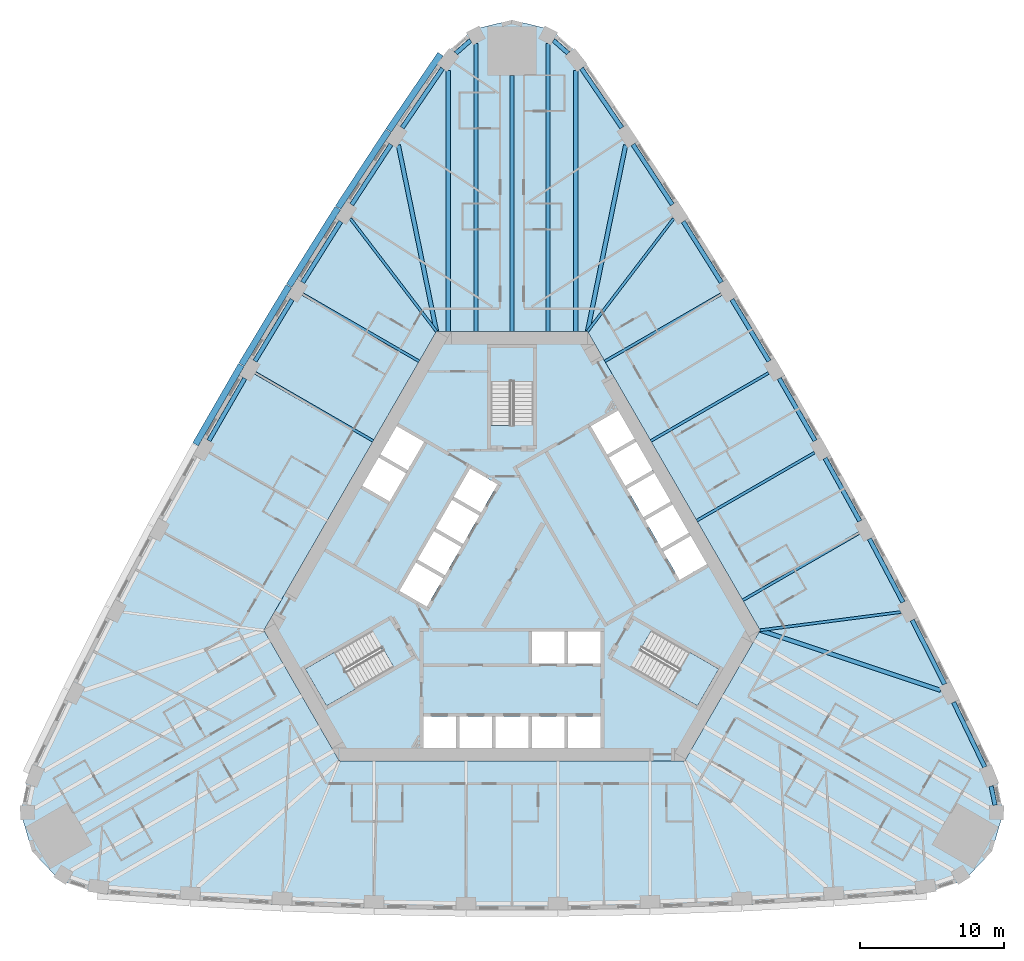
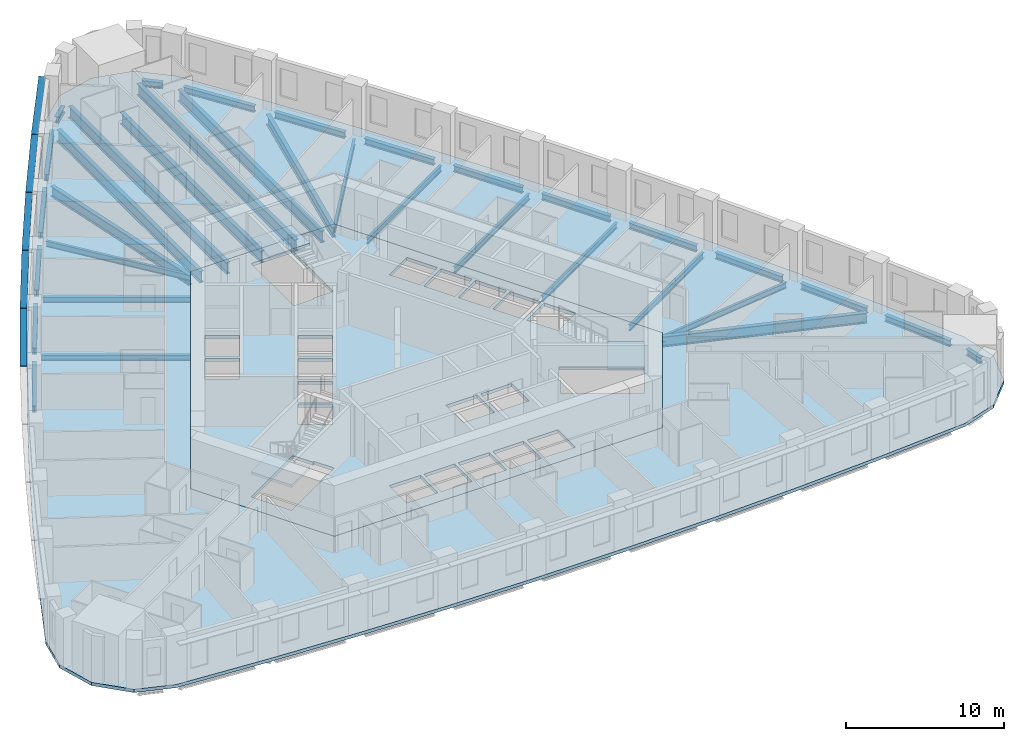
# One storey, part 2 of 13: 34 beams, 5 members, 5 slabs, 3 elements without a shape of their own.
"""IFC4 building model written with IfcOpenShell, lengths in metres."""

from ifc_helpers import new_model, si_unit, direction, frame, origin, origin_2d, place, context, subcontext, project, spatial, polyline, rectangle, i_section, outline, extrude, material, layer, layer_set, material_profile, profile_set, type_object, element, aggregate, save


model = new_model("IFC4")

# Units and contexts
model_context = context("Model", 3, precision=1e-05, world=origin(), true_north=direction((0.0, 1.0)))
body_context = subcontext(model_context, "Body", "Model", "MODEL_VIEW")
ifc_project = project(units=[si_unit("LENGTHUNIT", "METRE"), si_unit("AREAUNIT", "SQUARE_METRE"), si_unit("VOLUMEUNIT", "CUBIC_METRE"), si_unit("PLANEANGLEUNIT", "RADIAN"), si_unit("MASSUNIT", "GRAM", prefix="KILO")], contexts=[model_context])

# Site, building, storey
site_placement = place(None, origin())
site = spatial("IfcSite", under=ifc_project, at=site_placement, CompositionType="ELEMENT")
building_placement = place(site_placement, origin())
building = spatial("IfcBuilding", under=site, at=building_placement, Name="Mestral Congress Tower", CompositionType="ELEMENT")
storey_placement = place(building_placement, frame((0.0, 0.0, 31.5)))
storey = spatial("IfcBuildingStorey", under=building, at=storey_placement, Name="L06", CompositionType="ELEMENT", Elevation=31.5)

# Members
ifc_material_1 = material(Name="Glazed ceramic", Category="masonry")
ifc_material_profile_1 = material_profile(ifc_material_1, rectangle(XDim=0.449951171875, YDim=0.06005859375, at=origin_2d()), Name="Ceramic blade 450 x 60")
ifc_profile_set_1 = profile_set([ifc_material_profile_1], Name="Glazed ceramic")
member_type = type_object("IfcMemberType", Name="Facade sunshade blade 450 x 60", PredefinedType="USERDEFINED", material=ifc_profile_set_1)
member_1_placement = place(storey_placement, frame((-4.973388671875, 36.188232421875, 3.280029296875), z_axis=(-0.562633427576, -0.826706493367, 0.0), x_axis=(0.826706493367, -0.562633427576, 0.0)))
element("IfcMember", 1, at=member_1_placement, inside=storey, type_object=member_type, Name="Sunshade F2-00", ObjectType="SUNSHADE", PredefinedType="USERDEFINED", context=body_context, shape_type="SweptSolid", body=[
    extrude(rectangle(XDim=0.449951171875, YDim=0.06005859375, at=origin_2d()), origin(), (0.0, 0.0, 1.0), 6.4208984375),
])
member_2_placement = place(storey_placement, frame((-8.6103515625, 30.843505859375, 3.280029296875), z_axis=(-0.547211145376, -0.836994601163, 0.0), x_axis=(0.836994601163, -0.547211145376, 0.0)))
element("IfcMember", 2, at=member_2_placement, inside=storey, type_object=member_type, Name="Sunshade F2-01", ObjectType="SUNSHADE", PredefinedType="USERDEFINED", context=body_context, shape_type="SweptSolid", body=[
    extrude(rectangle(XDim=0.449951171875, YDim=0.06005859375, at=origin_2d()), origin(), (0.0, 0.0, 1.0), 6.368408203125),
])
for number, where, z_axis, x_axis, name in (
    (3, (-12.119140625, 25.47607421875, 3.280029296875), (-0.531665815747, -0.846954225662, 0.0), (0.846954225662, -0.531665815747, 0.0), "Sunshade F2-02"),
    (4, (-15.528076171875, 20.044921875, 3.280029296875), (-0.515904518528, -0.856646092481, 0.0), (0.856646092481, -0.515904518528, 0.0), "Sunshade F2-03"),
):
    element("IfcMember", number, at=place(storey_placement, frame(where, z_axis=z_axis, x_axis=x_axis)), inside=storey, type_object=member_type, Name=name, ObjectType="SUNSHADE", PredefinedType="USERDEFINED", context=body_context, shape_type="SweptSolid", body=[
        extrude(rectangle(XDim=0.449951171875, YDim=0.06005859375, at=origin_2d()), origin(), (0.0, 0.0, 1.0), 6.3681640625),
    ])
member_3_placement = place(storey_placement, frame((-18.8359375, 14.5517578125, 3.280029296875), z_axis=(-0.499990149842, -0.866031090701, 0.0), x_axis=(0.866031090701, -0.499990149842, 0.0)))
element("IfcMember", 5, at=member_3_placement, inside=storey, type_object=member_type, Name="Sunshade F2-04", ObjectType="SUNSHADE", PredefinedType="USERDEFINED", context=body_context, shape_type="SweptSolid", body=[
    extrude(rectangle(XDim=0.449951171875, YDim=0.06005859375, at=origin_2d()), origin(), (0.0, 0.0, 1.0), 6.368408203125),
])

# Beams
ifc_material_2 = material(Name="Steel S355", Category="steel")
ifc_material_profile_2 = material_profile(ifc_material_2, i_section(OverallWidth=0.300048828125, OverallDepth=0.800048828125, WebThickness=0.017578125, FlangeThickness=0.032958984375, FilletRadius=0.030029296875, at=origin_2d()), Name="HEB 800")
ifc_profile_set_2 = profile_set([ifc_material_profile_2], Name="Steel S355")
beam_type_1 = type_object("IfcBeamType", Name="Floor beam HEB 800 S355", PredefinedType="BEAM", material=ifc_profile_set_2)
for number, where, z_axis, x_axis, name in (
    (6, (29.8203125, -8.08349609375, -0.64990234375), (-0.948734931285, 0.316072824141, 0.0), (-0.316072824141, -0.948734931285, 0.0), "BM-L06-RB1-E01"),
    (7, (7.90966796875, 29.86669921875, -0.64990234375), (-0.200647311614, -0.979663542418, 0.0), (0.979663542418, -0.200647311614, 0.0), "BM-L06-RB1-E08"),
    (8, (-7.90966796875, 29.86669921875, -0.64990234375), (0.200647311614, -0.979663542418, 0.0), (0.979663542418, 0.200647311614, 0.0), "BM-L06-RB1-W01"),
):
    element("IfcBeam", number, at=place(storey_placement, frame(where, z_axis=z_axis, x_axis=x_axis)), inside=storey, type_object=beam_type_1, Name=name, PredefinedType="BEAM", context=body_context, shape_type="SweptSolid", body=[
        extrude(i_section(OverallWidth=0.300048828125, OverallDepth=0.800048828125, WebThickness=0.017578125, FlangeThickness=0.032958984375, FilletRadius=0.030029296875, at=origin_2d()), origin(), (0.0, 0.0, 1.0), 13.236083984375),
    ])
ifc_material_profile_3 = material_profile(ifc_material_2, i_section(OverallWidth=0.300048828125, OverallDepth=0.89990234375, WebThickness=0.0185546875, FlangeThickness=0.034912109375, FilletRadius=0.030029296875, at=origin_2d()), Name="HEB 900")
ifc_profile_set_3 = profile_set([ifc_material_profile_3], Name="Steel S355")
beam_type_2 = type_object("IfcBeamType", Name="Floor beam HEB 900 S355", PredefinedType="BEAM", material=ifc_profile_set_3)
beam_1_placement = place(storey_placement, frame((4.43603515625, 35.052734375, -0.699951171875), z_axis=(0.0, -1.0, 0.0), x_axis=(1.0, 0.0, 0.0)))
element("IfcBeam", 9, at=beam_1_placement, inside=storey, type_object=beam_type_2, Name="BM-L06-RB1-E09", PredefinedType="BEAM", context=body_context, shape_type="SweptSolid", body=[
    extrude(i_section(OverallWidth=0.300048828125, OverallDepth=0.89990234375, WebThickness=0.0185546875, FlangeThickness=0.034912109375, FilletRadius=0.030029296875, at=origin_2d()), origin(), (0.0, 0.0, 1.0), 18.15283203125),
])
beam_2_placement = place(storey_placement, frame((2.503173828125, 36.91943359375, -0.699951171875), z_axis=(0.0, -1.0, 0.0), x_axis=(1.0, 0.0, 0.0)))
element("IfcBeam", 10, at=beam_2_placement, inside=storey, type_object=beam_type_2, Name="BM-L06-RB1-N1", PredefinedType="BEAM", context=body_context, shape_type="SweptSolid", body=[
    extrude(i_section(OverallWidth=0.300048828125, OverallDepth=0.89990234375, WebThickness=0.0185546875, FlangeThickness=0.034912109375, FilletRadius=0.030029296875, at=origin_2d()), origin(), (0.0, 0.0, 1.0), 20.01953125),
])
beam_3_placement = place(storey_placement, frame((0.0, 34.698974609375, -0.699951171875), z_axis=(0.0, -1.0, 0.0), x_axis=(1.0, 0.0, 0.0)))
element("IfcBeam", 11, at=beam_3_placement, inside=storey, type_object=beam_type_2, Name="BM-L06-RB1-N", PredefinedType="BEAM", context=body_context, shape_type="SweptSolid", body=[
    extrude(i_section(OverallWidth=0.300048828125, OverallDepth=0.89990234375, WebThickness=0.0185546875, FlangeThickness=0.034912109375, FilletRadius=0.030029296875, at=origin_2d()), origin(), (0.0, 0.0, 1.0), 17.799072265625),
])
beam_4_placement = place(storey_placement, frame((-2.503173828125, 36.91943359375, -0.699951171875), z_axis=(0.0, -1.0, 0.0), x_axis=(1.0, 0.0, 0.0)))
element("IfcBeam", 12, at=beam_4_placement, inside=storey, type_object=beam_type_2, Name="BM-L06-RB1-N3", PredefinedType="BEAM", context=body_context, shape_type="SweptSolid", body=[
    extrude(i_section(OverallWidth=0.300048828125, OverallDepth=0.89990234375, WebThickness=0.0185546875, FlangeThickness=0.034912109375, FilletRadius=0.030029296875, at=origin_2d()), origin(), (0.0, 0.0, 1.0), 20.01953125),
])
beam_5_placement = place(storey_placement, frame((-4.43603515625, 35.052734375, -0.699951171875), z_axis=(0.0, -1.0, 0.0), x_axis=(1.0, 0.0, 0.0)))
element("IfcBeam", 13, at=beam_5_placement, inside=storey, type_object=beam_type_2, Name="BM-L06-RB1-W00", PredefinedType="BEAM", context=body_context, shape_type="SweptSolid", body=[
    extrude(i_section(OverallWidth=0.300048828125, OverallDepth=0.89990234375, WebThickness=0.0185546875, FlangeThickness=0.034912109375, FilletRadius=0.030029296875, at=origin_2d()), origin(), (0.0, 0.0, 1.0), 18.15283203125),
])
ifc_material_profile_4 = material_profile(ifc_material_2, i_section(OverallWidth=0.18994140625, OverallDepth=0.449951171875, WebThickness=0.009521484375, FlangeThickness=0.0146484375, FilletRadius=0.02099609375, at=origin_2d()), Name="IPE 450")
ifc_profile_set_4 = profile_set([ifc_material_profile_4], Name="Steel S355")
beam_type_3 = type_object("IfcBeamType", Name="Floor beam IPE 450 S355", PredefinedType="BEAM", material=ifc_profile_set_4)
beam_6_placement = place(storey_placement, frame((27.058349609375, -2.6337890625, -0.47509765625), z_axis=(-0.99175011495, -0.128186229747, 0.0), x_axis=(0.128186229747, -0.99175011495, 0.0)))
element("IfcBeam", 14, at=beam_6_placement, inside=storey, type_object=beam_type_3, Name="BM-L06-RB1-E02", PredefinedType="BEAM", context=body_context, shape_type="SweptSolid", body=[
    extrude(i_section(OverallWidth=0.18994140625, OverallDepth=0.449951171875, WebThickness=0.009521484375, FlangeThickness=0.0146484375, FilletRadius=0.02099609375, at=origin_2d()), origin(), (0.0, 0.0, 1.0), 9.877197265625),
])
beam_7_placement = place(storey_placement, frame((24.150634765625, 2.859619140625, -0.47509765625), z_axis=(-0.866032011123, -0.499988555579, 0.0), x_axis=(0.499988555579, -0.866032011123, 0.0)))
element("IfcBeam", 15, at=beam_7_placement, inside=storey, type_object=beam_type_3, Name="BM-L06-RB1-E03", PredefinedType="BEAM", context=body_context, shape_type="SweptSolid", body=[
    extrude(i_section(OverallWidth=0.18994140625, OverallDepth=0.449951171875, WebThickness=0.009521484375, FlangeThickness=0.0146484375, FilletRadius=0.02099609375, at=origin_2d()), origin(), (0.0, 0.0, 1.0), 9.344970703125),
])
for number, where, z_axis, x_axis, name in (
    (16, (21.0537109375, 8.46044921875, -0.47509765625), (-0.866019749231, -0.500009793847, 0.0), (0.500009793847, -0.866019749231, 0.0), "BM-L06-RB1-E04"),
    (17, (17.853759765625, 14.0029296875, -0.47509765625), (-0.866019749231, -0.500009793847, 0.0), (0.500009793847, -0.866019749231, 0.0), "BM-L06-RB1-E05"),
):
    element("IfcBeam", number, at=place(storey_placement, frame(where, z_axis=z_axis, x_axis=x_axis)), inside=storey, type_object=beam_type_3, Name=name, PredefinedType="BEAM", context=body_context, shape_type="SweptSolid", body=[
        extrude(i_section(OverallWidth=0.18994140625, OverallDepth=0.449951171875, WebThickness=0.009521484375, FlangeThickness=0.0146484375, FilletRadius=0.02099609375, at=origin_2d()), origin(), (0.0, 0.0, 1.0), 9.463134765625),
    ])
beam_8_placement = place(storey_placement, frame((14.5517578125, 19.485107421875, -0.47509765625), z_axis=(-0.866025479842, -0.499999868264, 0.0), x_axis=(0.499999868264, -0.866025479842, 0.0)))
element("IfcBeam", 18, at=beam_8_placement, inside=storey, type_object=beam_type_3, Name="BM-L06-RB1-E06", PredefinedType="BEAM", context=body_context, shape_type="SweptSolid", body=[
    extrude(i_section(OverallWidth=0.18994140625, OverallDepth=0.449951171875, WebThickness=0.009521484375, FlangeThickness=0.0146484375, FilletRadius=0.02099609375, at=origin_2d()), origin(), (0.0, 0.0, 1.0), 9.3447265625),
])
for number, where, z_axis, x_axis, name in (
    (19, (11.248291015625, 24.75, -0.47509765625), (-0.606898557801, -0.794779303039, 0.0), (0.794779303039, -0.606898557801, 0.0), "BM-L06-RB1-E07"),
    (20, (-11.248291015625, 24.75, -0.47509765625), (0.606898557801, -0.794779303039, 0.0), (0.794779303039, 0.606898557801, 0.0), "BM-L06-RB1-W02"),
):
    element("IfcBeam", number, at=place(storey_placement, frame(where, z_axis=z_axis, x_axis=x_axis)), inside=storey, type_object=beam_type_3, Name=name, PredefinedType="BEAM", context=body_context, shape_type="SweptSolid", body=[
        extrude(i_section(OverallWidth=0.18994140625, OverallDepth=0.449951171875, WebThickness=0.009521484375, FlangeThickness=0.0146484375, FilletRadius=0.02099609375, at=origin_2d()), origin(), (0.0, 0.0, 1.0), 9.877197265625),
    ])
beam_9_placement = place(storey_placement, frame((-14.5517578125, 19.485107421875, -0.47509765625), z_axis=(0.866025479842, -0.499999868264, 0.0), x_axis=(0.499999868264, 0.866025479842, 0.0)))
element("IfcBeam", 21, at=beam_9_placement, inside=storey, type_object=beam_type_3, Name="BM-L06-RB1-W03", PredefinedType="BEAM", context=body_context, shape_type="SweptSolid", body=[
    extrude(i_section(OverallWidth=0.18994140625, OverallDepth=0.449951171875, WebThickness=0.009521484375, FlangeThickness=0.0146484375, FilletRadius=0.02099609375, at=origin_2d()), origin(), (0.0, 0.0, 1.0), 9.3447265625),
])
beam_10_placement = place(storey_placement, frame((-17.853759765625, 14.0029296875, -0.47509765625), z_axis=(0.866019749231, -0.500009793847, 0.0), x_axis=(0.500009793847, 0.866019749231, 0.0)))
element("IfcBeam", 22, at=beam_10_placement, inside=storey, type_object=beam_type_3, Name="BM-L06-RB1-W04", PredefinedType="BEAM", context=body_context, shape_type="SweptSolid", body=[
    extrude(i_section(OverallWidth=0.18994140625, OverallDepth=0.449951171875, WebThickness=0.009521484375, FlangeThickness=0.0146484375, FilletRadius=0.02099609375, at=origin_2d()), origin(), (0.0, 0.0, 1.0), 9.463134765625),
])
ifc_material_profile_5 = material_profile(ifc_material_2, i_section(OverallWidth=0.300048828125, OverallDepth=0.489990234375, WebThickness=0.011962890625, FlangeThickness=0.02294921875, FilletRadius=0.027099609375, at=origin_2d()), Name="HEA 500")
ifc_profile_set_5 = profile_set([ifc_material_profile_5], Name="Steel S355")
beam_type_4 = type_object("IfcBeamType", Name="Spandrel beam HEA 500 S355", PredefinedType="BEAM", material=ifc_profile_set_5)
beam_11_placement = place(storey_placement, frame((33.611328125, -16.0693359375, -0.4951171875), z_axis=(-0.197991750859, 0.980203686277, 0.0), x_axis=(-0.980203686277, -0.197991750859, 0.0)))
element("IfcBeam", 23, at=beam_11_placement, inside=storey, type_object=beam_type_4, Name="SP-L06-SB1-SE3", PredefinedType="BEAM", context=body_context, shape_type="SweptSolid", body=[
    extrude(i_section(OverallWidth=0.300048828125, OverallDepth=0.489990234375, WebThickness=0.011962890625, FlangeThickness=0.02294921875, FilletRadius=0.027099609375, at=origin_2d()), origin(), (0.0, 0.0, 1.0), 1.3515625),
])
beam_12_placement = place(storey_placement, frame((32.897705078125, -13.415283203125, -0.4951171875), z_axis=(-0.434645244295, 0.900601749727, 0.0), x_axis=(-0.900601749727, -0.434645244295, 0.0)))
element("IfcBeam", 24, at=beam_12_placement, inside=storey, type_object=beam_type_4, Name="SP-L06-SB1-E00", PredefinedType="BEAM", context=body_context, shape_type="SweptSolid", body=[
    extrude(i_section(OverallWidth=0.300048828125, OverallDepth=0.489990234375, WebThickness=0.011962890625, FlangeThickness=0.02294921875, FilletRadius=0.027099609375, at=origin_2d()), origin(), (0.0, 0.0, 1.0), 4.998046875),
])
beam_13_placement = place(storey_placement, frame((30.105224609375, -7.658935546875, -0.4951171875), z_axis=(-0.45123261425, 0.892406369227, 0.0), x_axis=(-0.892406369227, -0.45123261425, 0.0)))
element("IfcBeam", 25, at=beam_13_placement, inside=storey, type_object=beam_type_4, Name="SP-L06-SB1-E01", PredefinedType="BEAM", context=body_context, shape_type="SweptSolid", body=[
    extrude(i_section(OverallWidth=0.300048828125, OverallDepth=0.489990234375, WebThickness=0.011962890625, FlangeThickness=0.02294921875, FilletRadius=0.027099609375, at=origin_2d()), origin(), (0.0, 0.0, 1.0), 4.999755859375),
])
beam_14_placement = place(storey_placement, frame((27.2060546875, -1.95361328125, -0.4951171875), z_axis=(-0.467681307417, 0.883897162962, 0.0), x_axis=(-0.883897162962, -0.467681307417, 0.0)))
element("IfcBeam", 26, at=beam_14_placement, inside=storey, type_object=beam_type_4, Name="SP-L06-SB1-E02", PredefinedType="BEAM", context=body_context, shape_type="SweptSolid", body=[
    extrude(i_section(OverallWidth=0.300048828125, OverallDepth=0.489990234375, WebThickness=0.011962890625, FlangeThickness=0.02294921875, FilletRadius=0.027099609375, at=origin_2d()), origin(), (0.0, 0.0, 1.0), 5.0),
])
for number, where, z_axis, x_axis, name in (
    (27, (24.20166015625, 3.697265625, -0.4951171875), (-0.483900688062, 0.875122919419, 0.0), (-0.875122919419, -0.483900688062, 0.0), "SP-L06-SB1-E03"),
    (28, (21.093505859375, 9.291748046875, -0.4951171875), (-0.50002537861, 0.866010750942, 0.0), (-0.866010750942, -0.50002537861, 0.0), "SP-L06-SB1-E04"),
    (29, (17.88232421875, 14.82763671875, -0.4951171875), (-0.515938385622, 0.85662569553, 0.0), (-0.85662569553, -0.515938385622, 0.0), "SP-L06-SB1-E05"),
    (30, (14.5693359375, 20.302978515625, -0.4951171875), (-0.531661433361, 0.846956976639, 0.0), (-0.846956976639, -0.531661433361, 0.0), "SP-L06-SB1-E06"),
):
    element("IfcBeam", number, at=place(storey_placement, frame(where, z_axis=z_axis, x_axis=x_axis)), inside=storey, type_object=beam_type_4, Name=name, PredefinedType="BEAM", context=body_context, shape_type="SweptSolid", body=[
        extrude(i_section(OverallWidth=0.300048828125, OverallDepth=0.489990234375, WebThickness=0.011962890625, FlangeThickness=0.02294921875, FilletRadius=0.027099609375, at=origin_2d()), origin(), (0.0, 0.0, 1.0), 4.999755859375),
    ])
beam_15_placement = place(storey_placement, frame((11.156005859375, 25.716552734375, -0.4951171875), z_axis=(-0.547263834194, 0.836960151849, 0.0), x_axis=(-0.836960151849, -0.547263834194, 0.0)))
element("IfcBeam", 31, at=beam_15_placement, inside=storey, type_object=beam_type_4, Name="SP-L06-SB1-E07", PredefinedType="BEAM", context=body_context, shape_type="SweptSolid", body=[
    extrude(i_section(OverallWidth=0.300048828125, OverallDepth=0.489990234375, WebThickness=0.011962890625, FlangeThickness=0.02294921875, FilletRadius=0.027099609375, at=origin_2d()), origin(), (0.0, 0.0, 1.0), 5.0),
])
beam_16_placement = place(storey_placement, frame((7.642822265625, 31.06591796875, -0.4951171875), z_axis=(-0.562610596841, 0.826722030868, 0.0), x_axis=(-0.826722030868, -0.562610596841, 0.0)))
element("IfcBeam", 32, at=beam_16_placement, inside=storey, type_object=beam_type_4, Name="SP-L06-SB1-E08", PredefinedType="BEAM", context=body_context, shape_type="SweptSolid", body=[
    extrude(i_section(OverallWidth=0.300048828125, OverallDepth=0.489990234375, WebThickness=0.011962890625, FlangeThickness=0.02294921875, FilletRadius=0.027099609375, at=origin_2d()), origin(), (0.0, 0.0, 1.0), 4.998046875),
])
for number, where, z_axis, x_axis, name in (
    (33, (3.902587890625, 36.248779296875, -0.4951171875), (-0.749806226219, 0.661657481725, 0.0), (-0.661657481725, -0.749806226219, 0.0), "SP-L06-SB1-E09"),
    (34, (-2.88916015625, 37.14306640625, -0.4951171875), (-0.749806226219, -0.661657481725, 0.0), (0.661657481725, -0.749806226219, 0.0), "SP-L06-SB1-N3"),
):
    element("IfcBeam", number, at=place(storey_placement, frame(where, z_axis=z_axis, x_axis=x_axis)), inside=storey, type_object=beam_type_4, Name=name, PredefinedType="BEAM", context=body_context, shape_type="SweptSolid", body=[
        extrude(i_section(OverallWidth=0.300048828125, OverallDepth=0.489990234375, WebThickness=0.011962890625, FlangeThickness=0.02294921875, FilletRadius=0.027099609375, at=origin_2d()), origin(), (0.0, 0.0, 1.0), 1.3515625),
    ])
beam_17_placement = place(storey_placement, frame((-4.830810546875, 35.197998046875, -0.4951171875), z_axis=(-0.562610596841, -0.826722030868, 0.0), x_axis=(0.826722030868, -0.562610596841, 0.0)))
element("IfcBeam", 35, at=beam_17_placement, inside=storey, type_object=beam_type_4, Name="SP-L06-SB1-W00", PredefinedType="BEAM", context=body_context, shape_type="SweptSolid", body=[
    extrude(i_section(OverallWidth=0.300048828125, OverallDepth=0.489990234375, WebThickness=0.011962890625, FlangeThickness=0.02294921875, FilletRadius=0.027099609375, at=origin_2d()), origin(), (0.0, 0.0, 1.0), 4.998046875),
])
beam_18_placement = place(storey_placement, frame((-8.419677734375, 29.9013671875, -0.4951171875), z_axis=(-0.547263834194, -0.836960151849, 0.0), x_axis=(0.836960151849, -0.547263834194, 0.0)))
element("IfcBeam", 36, at=beam_18_placement, inside=storey, type_object=beam_type_4, Name="SP-L06-SB1-W01", PredefinedType="BEAM", context=body_context, shape_type="SweptSolid", body=[
    extrude(i_section(OverallWidth=0.300048828125, OverallDepth=0.489990234375, WebThickness=0.011962890625, FlangeThickness=0.02294921875, FilletRadius=0.027099609375, at=origin_2d()), origin(), (0.0, 0.0, 1.0), 5.0),
])
for number, where, z_axis, x_axis, name in (
    (37, (-11.9111328125, 24.53759765625, -0.4951171875), (-0.531661433361, -0.846956976639, 0.0), (0.846956976639, -0.531661433361, 0.0), "SP-L06-SB1-W02"),
    (38, (-15.302734375, 19.110595703125, -0.4951171875), (-0.515938385622, -0.85662569553, 0.0), (0.85662569553, -0.515938385622, 0.0), "SP-L06-SB1-W03"),
    (39, (-18.593505859375, 13.62158203125, -0.4951171875), (-0.50002537861, -0.866010750942, 0.0), (0.866010750942, -0.50002537861, 0.0), "SP-L06-SB1-W04"),
):
    element("IfcBeam", number, at=place(storey_placement, frame(where, z_axis=z_axis, x_axis=x_axis)), inside=storey, type_object=beam_type_4, Name=name, PredefinedType="BEAM", context=body_context, shape_type="SweptSolid", body=[
        extrude(i_section(OverallWidth=0.300048828125, OverallDepth=0.489990234375, WebThickness=0.011962890625, FlangeThickness=0.02294921875, FilletRadius=0.027099609375, at=origin_2d()), origin(), (0.0, 0.0, 1.0), 4.999755859375),
    ])

# Slabs
ifc_material_3 = material(Name="Concrete C35/45", Category="concrete")
ifc_layer_1 = layer(ifc_material_3, 0.25)
ifc_layer_set_1 = layer_set([ifc_layer_1], Name="Concrete C35/45")
slab_type_1 = type_object("IfcSlabType", Name="Composite floor slab 250", PredefinedType="FLOOR", material=ifc_layer_set_1)
placement_1 = place(storey_placement, frame((0.0, 0.0, -0.25)))
element("IfcSlab", 40, at=placement_1, inside=storey, type_object=slab_type_1, Name="SL-L06", PredefinedType="FLOOR", context=body_context, shape_type="SweptSolid", body=[
    extrude(outline(polyline([(-28.8564453125, -22.17529296875), (-31.45849609375, -21.301025390625), (-33.39599609375, -19.28125), (-34.176513671875, -16.59326171875), (-33.6328125, -13.90283203125), (-30.824462890625, -8.084228515625), (-27.93310546875, -2.365478515625), (-24.936279296875, 3.298828125), (-21.835205078125, 8.90673828125), (-18.631103515625, 14.45654296875), (-15.324951171875, 19.946044921875), (-11.91796875, 25.373291015625), (-8.4111328125, 30.737060546875), (-4.776123046875, 36.078125), (-2.718017578125, 37.894287109375), (0.0, 38.562255859375), (2.718017578125, 37.894287109375), (4.776123046875, 36.078125), (8.4111328125, 30.737060546875), (11.91796875, 25.373291015625), (15.324951171875, 19.946044921875), (18.631103515625, 14.45654296875), (21.835205078125, 8.90673828125), (24.936279296875, 3.298828125), (27.93310546875, -2.365478515625), (30.824462890625, -8.084228515625), (33.6328125, -13.90283203125), (34.176513671875, -16.59326171875), (33.39599609375, -19.28125), (31.45849609375, -21.301025390625), (28.8564453125, -22.17529296875), (22.41357421875, -22.652587890625), (16.01513671875, -23.0078125), (9.611083984375, -23.244873046875), (3.2041015625, -23.36328125), (-3.2041015625, -23.36328125), (-9.611083984375, -23.244873046875), (-16.01513671875, -23.0078125), (-22.41357421875, -22.652587890625), (-28.8564453125, -22.17529296875)]), holes=[polyline([(-5.25390625, 16.89990234375), (-17.2626953125, -3.89990234375), (-12.0087890625, -13.0), (12.0087890625, -13.0), (17.2626953125, -3.89990234375), (5.25390625, 16.89990234375), (-5.25390625, 16.89990234375)])]), origin(), (0.0, 0.0, 1.0), 0.25),
])
ifc_material_4 = material(Name="Concrete C60/75", Category="concrete")
ifc_layer_2 = layer(ifc_material_4, 0.25)
ifc_layer_set_2 = layer_set([ifc_layer_2], Name="Concrete C60/75")
slab_type_2 = type_object("IfcSlabType", Name="Core floor slab RC 250", PredefinedType="FLOOR", material=ifc_layer_set_2)
element("IfcSlab", 41, at=placement_1, inside=storey, type_object=slab_type_2, Name="L06 core floor", PredefinedType="FLOOR", context=body_context, shape_type="SweptSolid", body=[
    extrude(outline(polyline([(12.0087890625, -13.0), (-12.0087890625, -13.0), (-17.2626953125, -3.89990234375), (-5.25390625, 16.89990234375), (5.25390625, 16.89990234375), (17.2626953125, -3.89990234375), (12.0087890625, -13.0)]), holes=[polyline([(-3.905029296875, -9.89990234375), (-6.175048828125, -9.89990234375), (-6.175048828125, -12.10009765625), (-3.905029296875, -12.10009765625), (-3.905029296875, -9.89990234375)]), polyline([(-1.385009765625, -9.89990234375), (-3.655029296875, -9.89990234375), (-3.655029296875, -12.10009765625), (-1.385009765625, -12.10009765625), (-1.385009765625, -9.89990234375)]), polyline([(1.135009765625, -9.89990234375), (-1.135009765625, -9.89990234375), (-1.135009765625, -12.10009765625), (1.135009765625, -12.10009765625), (1.135009765625, -9.89990234375)]), polyline([(-9.0673828125, -5.235107421875), (-9.8046875, -3.95751953125), (-14.37744140625, -6.59765625), (-12.90234375, -9.15234375), (-8.234619140625, -6.45751953125), (-8.971923828125, -5.179931640625), (-9.0673828125, -5.235107421875)]), polyline([(-7.826904296875, -1.156494140625), (-5.921630859375, -2.256591796875), (-4.78662109375, -0.29052734375), (-6.69189453125, 0.809326171875), (-7.826904296875, -1.156494140625)]), polyline([(-4.66162109375, -0.07421875), (-3.526611328125, 1.8916015625), (-5.431884765625, 2.99169921875), (-6.56689453125, 1.02587890625), (-4.66162109375, -0.07421875)]), polyline([(-3.401611328125, 2.1083984375), (-2.2666015625, 4.07421875), (-4.171875, 5.174072265625), (-5.306884765625, 3.208251953125), (-3.401611328125, 2.1083984375)]), polyline([(-2.1416015625, 4.29052734375), (-1.006591796875, 6.256591796875), (-2.911865234375, 7.3564453125), (-4.046875, 5.390625), (-2.1416015625, 4.29052734375)]), polyline([(-10.41650390625, 6.158203125), (-8.51123046875, 5.058349609375), (-7.376220703125, 7.024169921875), (-9.281494140625, 8.1240234375), (-10.41650390625, 6.158203125)]), polyline([(-9.156494140625, 8.340576171875), (-7.251220703125, 7.240478515625), (-6.1162109375, 9.20654296875), (-8.021484375, 10.306396484375), (-9.156494140625, 8.340576171875)]), polyline([(1.47509765625, 10.469970703125), (1.47509765625, 15.75), (-1.47509765625, 15.75), (-1.47509765625, 10.360107421875), (0.0, 10.360107421875), (0.0, 10.469970703125), (1.47509765625, 10.469970703125)]), polyline([(3.655029296875, -9.89990234375), (1.385009765625, -9.89990234375), (1.385009765625, -12.10009765625), (3.655029296875, -12.10009765625), (3.655029296875, -9.89990234375)]), polyline([(6.175048828125, -9.89990234375), (3.905029296875, -9.89990234375), (3.905029296875, -12.10009765625), (6.175048828125, -12.10009765625), (6.175048828125, -9.89990234375)]), polyline([(9.0673828125, -5.235107421875), (8.329833984375, -6.512451171875), (12.90234375, -9.15234375), (14.37744140625, -6.59765625), (9.70947265625, -3.902587890625), (8.971923828125, -5.179931640625), (9.0673828125, -5.235107421875)]), polyline([(3.655029296875, -6.199951171875), (3.655029296875, -4.0), (1.385009765625, -4.0), (1.385009765625, -6.199951171875), (3.655029296875, -6.199951171875)]), polyline([(6.175048828125, -4.0), (3.905029296875, -4.0), (3.905029296875, -6.199951171875), (6.175048828125, -6.199951171875), (6.175048828125, -4.0)]), polyline([(12.431396484375, 2.668212890625), (10.526123046875, 1.568115234375), (11.6611328125, -0.397705078125), (13.56640625, 0.702392578125), (12.431396484375, 2.668212890625)]), polyline([(11.17138671875, 4.8505859375), (9.26611328125, 3.75048828125), (10.401123046875, 1.78466796875), (12.306396484375, 2.884765625), (11.17138671875, 4.8505859375)]), polyline([(8.006103515625, 5.932861328125), (9.14111328125, 3.967041015625), (11.04638671875, 5.067138671875), (9.911376953125, 7.032958984375), (8.006103515625, 5.932861328125)]), polyline([(8.6513671875, 9.21533203125), (6.74609375, 8.115234375), (7.881103515625, 6.1494140625), (9.786376953125, 7.24951171875), (8.6513671875, 9.21533203125)]), polyline([(7.391357421875, 11.397705078125), (5.486083984375, 10.297607421875), (6.62109375, 8.331787109375), (8.5263671875, 9.431884765625), (7.391357421875, 11.397705078125)])]), origin(), (0.0, 0.0, 1.0), 0.25),
])

# Stair, slab
stair_type = type_object("IfcStairType", Name="Exit stair 1400", PredefinedType="HALF_TURN_STAIR", material=ifc_material_4)
placement_2 = place(storey_placement, origin())
stair_1 = element("IfcStair", 42, at=placement_2, inside=storey, type_object=stair_type, Name="L06 ST1", PredefinedType="HALF_TURN_STAIR")
ifc_layer_3 = layer(ifc_material_4, 0.199951171875)
ifc_layer_set_3 = layer_set([ifc_layer_3], Name="Concrete C60/75")
slab_type_3 = type_object("IfcSlabType", Name="Exit stair landing 200", PredefinedType="LANDING", material=ifc_layer_set_3)
placement_3 = place(storey_placement, frame((0.0, 0.0, 1.75)))
slab_3 = element("IfcSlab", 43, at=placement_3, type_object=slab_type_3, Name="ST1 landing 1", PredefinedType="LANDING", context=body_context, shape_type="SweptSolid", body=[
    extrude(outline(polyline([(10.879638671875, -7.99609375), (12.364501953125, -5.424072265625), (14.39111328125, -6.593994140625), (12.906005859375, -9.166015625), (10.879638671875, -7.99609375)])), origin(), (0.0, 0.0, 1.0), 0.199951171875),
])
aggregate(stair_1, [slab_3])

stair_2 = element("IfcStair", 44, at=placement_2, inside=storey, type_object=stair_type, Name="L06 ST2", PredefinedType="HALF_TURN_STAIR")
slab_4 = element("IfcSlab", 45, at=placement_3, type_object=slab_type_3, Name="ST2 landing 1", PredefinedType="LANDING", context=body_context, shape_type="SweptSolid", body=[
    extrude(outline(polyline([(1.485107421875, 13.419921875), (-1.485107421875, 13.419921875), (-1.485107421875, 15.760009765625), (1.485107421875, 15.760009765625), (1.485107421875, 13.419921875)])), origin(), (0.0, 0.0, 1.0), 0.199951171875),
])
aggregate(stair_2, [slab_4])

stair_3 = element("IfcStair", 46, at=placement_2, inside=storey, type_object=stair_type, Name="L06 ST3", PredefinedType="HALF_TURN_STAIR")
slab_5 = element("IfcSlab", 47, at=placement_3, type_object=slab_type_3, Name="ST3 landing 1", PredefinedType="LANDING", context=body_context, shape_type="SweptSolid", body=[
    extrude(outline(polyline([(-12.364501953125, -5.424072265625), (-10.879638671875, -7.99609375), (-12.906005859375, -9.166015625), (-14.39111328125, -6.593994140625), (-12.364501953125, -5.424072265625)])), origin(), (0.0, 0.0, 1.0), 0.199951171875),
])
aggregate(stair_3, [slab_5])

save(model, "model.ifc")
